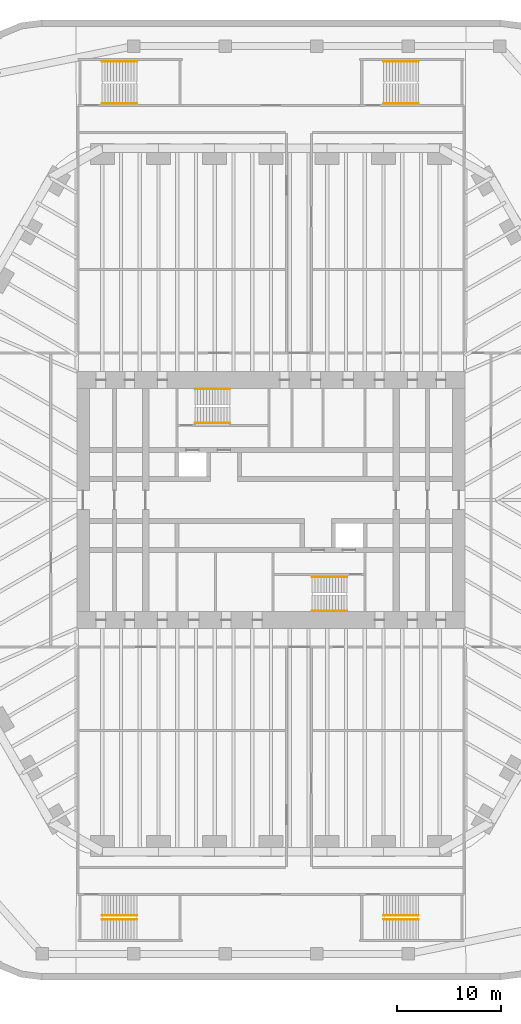
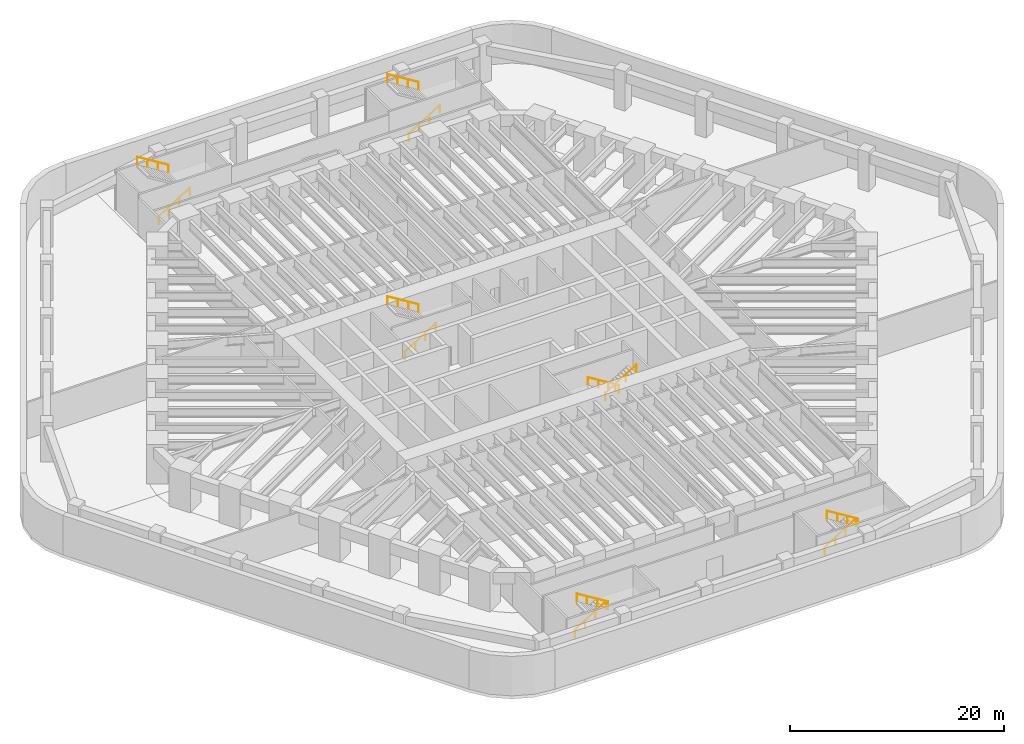
# One storey, part 12 of 12: 12 railings.
"""IFC4 building model written with IfcOpenShell, lengths in metres."""

from ifc_helpers import new_model, si_unit, direction, frame, origin, origin_2d, place, context, subcontext, project, spatial, circle, extrude, material, type_object, element, save


model = new_model("IFC4")

# Units and contexts
model_context = context("Model", 3, precision=1e-05, world=origin(), true_north=direction((0.0, 1.0)))
body_context = subcontext(model_context, "Body", "Model", "MODEL_VIEW")
ifc_project = project(units=[si_unit("LENGTHUNIT", "METRE"), si_unit("AREAUNIT", "SQUARE_METRE"), si_unit("VOLUMEUNIT", "CUBIC_METRE"), si_unit("PLANEANGLEUNIT", "RADIAN"), si_unit("MASSUNIT", "GRAM", prefix="KILO")], contexts=[model_context])

# Site, building, storey
site_placement = place(None, origin())
site = spatial("IfcSite", under=ifc_project, at=site_placement, CompositionType="ELEMENT")
building_placement = place(site_placement, origin())
building = spatial("IfcBuilding", under=site, at=building_placement, Name="Tarfa Lantern Tower", CompositionType="ELEMENT")
storey_placement = place(building_placement, frame((0.0, 0.0, -4.5)))
storey = spatial("IfcBuildingStorey", under=building, at=storey_placement, Name="B1", CompositionType="ELEMENT", Elevation=-4.5)

# Railings
ifc_material = material(Name="Stainless steel", Category="steel")
railing_type = type_object("IfcRailingType", Name="HR1 HANDRAIL 900", PredefinedType="HANDRAIL", material=ifc_material)
railing_1_placement = place(storey_placement, frame((-7.300048828125, 7.3798828125, 0.173095703125)))
element("IfcRailing", 1, at=railing_1_placement, inside=storey, type_object=railing_type, Name="Handrail 1", PredefinedType="HANDRAIL", context=body_context, shape_type="SweptSolid", body=[
    extrude(circle(Radius=0.02392578125, at=origin_2d()), frame((0.0, 0.0, 0.8759765625), z_axis=(0.850623216509, 0.0, 0.525775754039), x_axis=(0.0, 1.0, 0.0)), (0.0, 0.0, 1.0), 3.9501953125),
    extrude(circle(Radius=0.02099609375, at=origin_2d()), frame((0.0, 0.0, 0.0), z_axis=(0.0, 0.0, 1.0), x_axis=(0.0, 1.0, 0.0)), (0.0, 0.0, 1.0), 0.851806640625),
    extrude(circle(Radius=0.02099609375, at=origin_2d()), frame((1.1201171875, 0.0, 0.6923828125), z_axis=(0.0, 0.0, 1.0), x_axis=(0.0, 1.0, 0.0)), (0.0, 0.0, 1.0), 0.851806640625),
    extrude(circle(Radius=0.02099609375, at=origin_2d()), frame((2.239990234375, 0.0, 1.384521484375), z_axis=(0.0, 0.0, 1.0), x_axis=(0.0, 1.0, 0.0)), (0.0, 0.0, 1.0), 0.851806640625),
    extrude(circle(Radius=0.02099609375, at=origin_2d()), frame((3.360107421875, 0.0, 2.076904296875), z_axis=(0.0, 0.0, 1.0), x_axis=(0.0, 1.0, 0.0)), (0.0, 0.0, 1.0), 0.851806640625),
])
for number, where, name in (
    (2, (-3.93994140625, 10.6201171875, 2.423095703125), "Handrail 2"),
    (3, (7.300048828125, -7.3798828125, 0.173095703125), "Handrail 1"),
):
    element("IfcRailing", number, at=place(storey_placement, frame(where)), inside=storey, type_object=railing_type, Name=name, PredefinedType="HANDRAIL", context=body_context, shape_type="SweptSolid", body=[
        extrude(circle(Radius=0.02392578125, at=origin_2d()), frame((0.0, 0.0, 0.8759765625), z_axis=(-0.850623216509, 0.0, 0.525775754039), x_axis=(0.0, -1.0, 0.0)), (0.0, 0.0, 1.0), 3.9501953125),
        extrude(circle(Radius=0.02099609375, at=origin_2d()), frame((0.0, 0.0, 0.0), z_axis=(0.0, 0.0, 1.0), x_axis=(0.0, -1.0, 0.0)), (0.0, 0.0, 1.0), 0.851806640625),
        extrude(circle(Radius=0.02099609375, at=origin_2d()), frame((-1.1201171875, 0.0, 0.6923828125), z_axis=(0.0, 0.0, 1.0), x_axis=(0.0, -1.0, 0.0)), (0.0, 0.0, 1.0), 0.851806640625),
        extrude(circle(Radius=0.02099609375, at=origin_2d()), frame((-2.239990234375, 0.0, 1.384521484375), z_axis=(0.0, 0.0, 1.0), x_axis=(0.0, -1.0, 0.0)), (0.0, 0.0, 1.0), 0.851806640625),
        extrude(circle(Radius=0.02099609375, at=origin_2d()), frame((-3.360107421875, 0.0, 2.076904296875), z_axis=(0.0, 0.0, 1.0), x_axis=(0.0, -1.0, 0.0)), (0.0, 0.0, 1.0), 0.851806640625),
    ])
railing_2_placement = place(storey_placement, frame((3.93994140625, -10.6201171875, 2.423095703125)))
element("IfcRailing", 4, at=railing_2_placement, inside=storey, type_object=railing_type, Name="Handrail 2", PredefinedType="HANDRAIL", context=body_context, shape_type="SweptSolid", body=[
    extrude(circle(Radius=0.02392578125, at=origin_2d()), frame((0.0, 0.0, 0.8759765625), z_axis=(0.850623216509, 0.0, 0.525775754039), x_axis=(0.0, 1.0, 0.0)), (0.0, 0.0, 1.0), 3.9501953125),
    extrude(circle(Radius=0.02099609375, at=origin_2d()), frame((0.0, 0.0, 0.0), z_axis=(0.0, 0.0, 1.0), x_axis=(0.0, 1.0, 0.0)), (0.0, 0.0, 1.0), 0.851806640625),
    extrude(circle(Radius=0.02099609375, at=origin_2d()), frame((1.1201171875, 0.0, 0.6923828125), z_axis=(0.0, 0.0, 1.0), x_axis=(0.0, 1.0, 0.0)), (0.0, 0.0, 1.0), 0.851806640625),
    extrude(circle(Radius=0.02099609375, at=origin_2d()), frame((2.239990234375, 0.0, 1.384521484375), z_axis=(0.0, 0.0, 1.0), x_axis=(0.0, 1.0, 0.0)), (0.0, 0.0, 1.0), 0.851806640625),
    extrude(circle(Radius=0.02099609375, at=origin_2d()), frame((3.360107421875, 0.0, 2.076904296875), z_axis=(0.0, 0.0, 1.0), x_axis=(0.0, 1.0, 0.0)), (0.0, 0.0, 1.0), 0.851806640625),
])
railing_3_placement = place(storey_placement, frame((10.800048828125, 37.97998046875, 0.173095703125)))
element("IfcRailing", 5, at=railing_3_placement, inside=storey, type_object=railing_type, Name="Handrail 1", PredefinedType="HANDRAIL", context=body_context, shape_type="SweptSolid", body=[
    extrude(circle(Radius=0.02392578125, at=origin_2d()), frame((0.0, 0.0, 0.8759765625), z_axis=(0.850606129759, 0.0, 0.525803396734), x_axis=(0.0, 1.0, 0.0)), (0.0, 0.0, 1.0), 3.949951171875),
    extrude(circle(Radius=0.02099609375, at=origin_2d()), frame((0.0, 0.0, 0.0), z_axis=(0.0, 0.0, 1.0), x_axis=(0.0, 1.0, 0.0)), (0.0, 0.0, 1.0), 0.851806640625),
    extrude(circle(Radius=0.02099609375, at=origin_2d()), frame((1.119873046875, 0.0, 0.6923828125), z_axis=(0.0, 0.0, 1.0), x_axis=(0.0, 1.0, 0.0)), (0.0, 0.0, 1.0), 0.851806640625),
    extrude(circle(Radius=0.02099609375, at=origin_2d()), frame((2.239990234375, 0.0, 1.384521484375), z_axis=(0.0, 0.0, 1.0), x_axis=(0.0, 1.0, 0.0)), (0.0, 0.0, 1.0), 0.851806640625),
    extrude(circle(Radius=0.02099609375, at=origin_2d()), frame((3.35986328125, 0.0, 2.076904296875), z_axis=(0.0, 0.0, 1.0), x_axis=(0.0, 1.0, 0.0)), (0.0, 0.0, 1.0), 0.851806640625),
])
railing_4_placement = place(storey_placement, frame((14.159912109375, 42.02001953125, 2.423095703125)))
element("IfcRailing", 6, at=railing_4_placement, inside=storey, type_object=railing_type, Name="Handrail 2", PredefinedType="HANDRAIL", context=body_context, shape_type="SweptSolid", body=[
    extrude(circle(Radius=0.02392578125, at=origin_2d()), frame((0.0, 0.0, 0.8759765625), z_axis=(-0.850606129759, 0.0, 0.525803396734), x_axis=(0.0, -1.0, 0.0)), (0.0, 0.0, 1.0), 3.949951171875),
    extrude(circle(Radius=0.02099609375, at=origin_2d()), frame((0.0, 0.0, 0.0), z_axis=(0.0, 0.0, 1.0), x_axis=(0.0, -1.0, 0.0)), (0.0, 0.0, 1.0), 0.851806640625),
    extrude(circle(Radius=0.02099609375, at=origin_2d()), frame((-1.119873046875, 0.0, 0.6923828125), z_axis=(0.0, 0.0, 1.0), x_axis=(0.0, -1.0, 0.0)), (0.0, 0.0, 1.0), 0.851806640625),
    extrude(circle(Radius=0.02099609375, at=origin_2d()), frame((-2.239990234375, 0.0, 1.384521484375), z_axis=(0.0, 0.0, 1.0), x_axis=(0.0, -1.0, 0.0)), (0.0, 0.0, 1.0), 0.851806640625),
    extrude(circle(Radius=0.02099609375, at=origin_2d()), frame((-3.35986328125, 0.0, 2.076904296875), z_axis=(0.0, 0.0, 1.0), x_axis=(0.0, -1.0, 0.0)), (0.0, 0.0, 1.0), 0.851806640625),
])
railing_5_placement = place(storey_placement, frame((-16.199951171875, 37.97998046875, 0.173095703125)))
element("IfcRailing", 7, at=railing_5_placement, inside=storey, type_object=railing_type, Name="Handrail 1", PredefinedType="HANDRAIL", context=body_context, shape_type="SweptSolid", body=[
    extrude(circle(Radius=0.02392578125, at=origin_2d()), frame((0.0, 0.0, 0.8759765625), z_axis=(0.850606129759, 0.0, 0.525803396734), x_axis=(0.0, 1.0, 0.0)), (0.0, 0.0, 1.0), 3.949951171875),
    extrude(circle(Radius=0.02099609375, at=origin_2d()), frame((0.0, 0.0, 0.0), z_axis=(0.0, 0.0, 1.0), x_axis=(0.0, 1.0, 0.0)), (0.0, 0.0, 1.0), 0.851806640625),
    extrude(circle(Radius=0.02099609375, at=origin_2d()), frame((1.119873046875, 0.0, 0.6923828125), z_axis=(0.0, 0.0, 1.0), x_axis=(0.0, 1.0, 0.0)), (0.0, 0.0, 1.0), 0.851806640625),
    extrude(circle(Radius=0.02099609375, at=origin_2d()), frame((2.239990234375, 0.0, 1.384521484375), z_axis=(0.0, 0.0, 1.0), x_axis=(0.0, 1.0, 0.0)), (0.0, 0.0, 1.0), 0.851806640625),
    extrude(circle(Radius=0.02099609375, at=origin_2d()), frame((3.35986328125, 0.0, 2.076904296875), z_axis=(0.0, 0.0, 1.0), x_axis=(0.0, 1.0, 0.0)), (0.0, 0.0, 1.0), 0.851806640625),
])
railing_6_placement = place(storey_placement, frame((-12.840087890625, 42.02001953125, 2.423095703125)))
element("IfcRailing", 8, at=railing_6_placement, inside=storey, type_object=railing_type, Name="Handrail 2", PredefinedType="HANDRAIL", context=body_context, shape_type="SweptSolid", body=[
    extrude(circle(Radius=0.02392578125, at=origin_2d()), frame((0.0, 0.0, 0.8759765625), z_axis=(-0.850606129759, 0.0, 0.525803396734), x_axis=(0.0, -1.0, 0.0)), (0.0, 0.0, 1.0), 3.949951171875),
    extrude(circle(Radius=0.02099609375, at=origin_2d()), frame((0.0, 0.0, 0.0), z_axis=(0.0, 0.0, 1.0), x_axis=(0.0, -1.0, 0.0)), (0.0, 0.0, 1.0), 0.851806640625),
    extrude(circle(Radius=0.02099609375, at=origin_2d()), frame((-1.119873046875, 0.0, 0.6923828125), z_axis=(0.0, 0.0, 1.0), x_axis=(0.0, -1.0, 0.0)), (0.0, 0.0, 1.0), 0.851806640625),
    extrude(circle(Radius=0.02099609375, at=origin_2d()), frame((-2.239990234375, 0.0, 1.384521484375), z_axis=(0.0, 0.0, 1.0), x_axis=(0.0, -1.0, 0.0)), (0.0, 0.0, 1.0), 0.851806640625),
    extrude(circle(Radius=0.02099609375, at=origin_2d()), frame((-3.35986328125, 0.0, 2.076904296875), z_axis=(0.0, 0.0, 1.0), x_axis=(0.0, -1.0, 0.0)), (0.0, 0.0, 1.0), 0.851806640625),
])
railing_7_placement = place(storey_placement, frame((-16.199951171875, -39.820068359375, 0.173095703125)))
element("IfcRailing", 9, at=railing_7_placement, inside=storey, type_object=railing_type, Name="Handrail 1", PredefinedType="HANDRAIL", context=body_context, shape_type="SweptSolid", body=[
    extrude(circle(Radius=0.02392578125, at=origin_2d()), frame((0.0, 0.0, 0.8759765625), z_axis=(0.850606129759, 0.0, 0.525803396734), x_axis=(0.0, 1.0, 0.0)), (0.0, 0.0, 1.0), 3.949951171875),
    extrude(circle(Radius=0.02099609375, at=origin_2d()), frame((0.0, 0.0, 0.0), z_axis=(0.0, 0.0, 1.0), x_axis=(0.0, 1.0, 0.0)), (0.0, 0.0, 1.0), 0.851806640625),
    extrude(circle(Radius=0.02099609375, at=origin_2d()), frame((1.119873046875, 0.0, 0.6923828125), z_axis=(0.0, 0.0, 1.0), x_axis=(0.0, 1.0, 0.0)), (0.0, 0.0, 1.0), 0.851806640625),
    extrude(circle(Radius=0.02099609375, at=origin_2d()), frame((2.239990234375, 0.0, 1.384521484375), z_axis=(0.0, 0.0, 1.0), x_axis=(0.0, 1.0, 0.0)), (0.0, 0.0, 1.0), 0.851806640625),
    extrude(circle(Radius=0.02099609375, at=origin_2d()), frame((3.35986328125, 0.0, 2.076904296875), z_axis=(0.0, 0.0, 1.0), x_axis=(0.0, 1.0, 0.0)), (0.0, 0.0, 1.0), 0.851806640625),
])
railing_8_placement = place(storey_placement, frame((-12.840087890625, -40.179931640625, 2.423095703125)))
element("IfcRailing", 10, at=railing_8_placement, inside=storey, type_object=railing_type, Name="Handrail 2", PredefinedType="HANDRAIL", context=body_context, shape_type="SweptSolid", body=[
    extrude(circle(Radius=0.02392578125, at=origin_2d()), frame((0.0, 0.0, 0.8759765625), z_axis=(-0.850606129759, 0.0, 0.525803396734), x_axis=(0.0, -1.0, 0.0)), (0.0, 0.0, 1.0), 3.949951171875),
    extrude(circle(Radius=0.02099609375, at=origin_2d()), frame((0.0, 0.0, 0.0), z_axis=(0.0, 0.0, 1.0), x_axis=(0.0, -1.0, 0.0)), (0.0, 0.0, 1.0), 0.851806640625),
    extrude(circle(Radius=0.02099609375, at=origin_2d()), frame((-1.119873046875, 0.0, 0.6923828125), z_axis=(0.0, 0.0, 1.0), x_axis=(0.0, -1.0, 0.0)), (0.0, 0.0, 1.0), 0.851806640625),
    extrude(circle(Radius=0.02099609375, at=origin_2d()), frame((-2.239990234375, 0.0, 1.384521484375), z_axis=(0.0, 0.0, 1.0), x_axis=(0.0, -1.0, 0.0)), (0.0, 0.0, 1.0), 0.851806640625),
    extrude(circle(Radius=0.02099609375, at=origin_2d()), frame((-3.35986328125, 0.0, 2.076904296875), z_axis=(0.0, 0.0, 1.0), x_axis=(0.0, -1.0, 0.0)), (0.0, 0.0, 1.0), 0.851806640625),
])
railing_9_placement = place(storey_placement, frame((10.800048828125, -39.820068359375, 0.173095703125)))
element("IfcRailing", 11, at=railing_9_placement, inside=storey, type_object=railing_type, Name="Handrail 1", PredefinedType="HANDRAIL", context=body_context, shape_type="SweptSolid", body=[
    extrude(circle(Radius=0.02392578125, at=origin_2d()), frame((0.0, 0.0, 0.8759765625), z_axis=(0.850606129759, 0.0, 0.525803396734), x_axis=(0.0, 1.0, 0.0)), (0.0, 0.0, 1.0), 3.949951171875),
    extrude(circle(Radius=0.02099609375, at=origin_2d()), frame((0.0, 0.0, 0.0), z_axis=(0.0, 0.0, 1.0), x_axis=(0.0, 1.0, 0.0)), (0.0, 0.0, 1.0), 0.851806640625),
    extrude(circle(Radius=0.02099609375, at=origin_2d()), frame((1.119873046875, 0.0, 0.6923828125), z_axis=(0.0, 0.0, 1.0), x_axis=(0.0, 1.0, 0.0)), (0.0, 0.0, 1.0), 0.851806640625),
    extrude(circle(Radius=0.02099609375, at=origin_2d()), frame((2.239990234375, 0.0, 1.384521484375), z_axis=(0.0, 0.0, 1.0), x_axis=(0.0, 1.0, 0.0)), (0.0, 0.0, 1.0), 0.851806640625),
    extrude(circle(Radius=0.02099609375, at=origin_2d()), frame((3.35986328125, 0.0, 2.076904296875), z_axis=(0.0, 0.0, 1.0), x_axis=(0.0, 1.0, 0.0)), (0.0, 0.0, 1.0), 0.851806640625),
])
railing_10_placement = place(storey_placement, frame((14.159912109375, -40.179931640625, 2.423095703125)))
element("IfcRailing", 12, at=railing_10_placement, inside=storey, type_object=railing_type, Name="Handrail 2", PredefinedType="HANDRAIL", context=body_context, shape_type="SweptSolid", body=[
    extrude(circle(Radius=0.02392578125, at=origin_2d()), frame((0.0, 0.0, 0.8759765625), z_axis=(-0.850606129759, 0.0, 0.525803396734), x_axis=(0.0, -1.0, 0.0)), (0.0, 0.0, 1.0), 3.949951171875),
    extrude(circle(Radius=0.02099609375, at=origin_2d()), frame((0.0, 0.0, 0.0), z_axis=(0.0, 0.0, 1.0), x_axis=(0.0, -1.0, 0.0)), (0.0, 0.0, 1.0), 0.851806640625),
    extrude(circle(Radius=0.02099609375, at=origin_2d()), frame((-1.119873046875, 0.0, 0.6923828125), z_axis=(0.0, 0.0, 1.0), x_axis=(0.0, -1.0, 0.0)), (0.0, 0.0, 1.0), 0.851806640625),
    extrude(circle(Radius=0.02099609375, at=origin_2d()), frame((-2.239990234375, 0.0, 1.384521484375), z_axis=(0.0, 0.0, 1.0), x_axis=(0.0, -1.0, 0.0)), (0.0, 0.0, 1.0), 0.851806640625),
    extrude(circle(Radius=0.02099609375, at=origin_2d()), frame((-3.35986328125, 0.0, 2.076904296875), z_axis=(0.0, 0.0, 1.0), x_axis=(0.0, -1.0, 0.0)), (0.0, 0.0, 1.0), 0.851806640625),
])

save(model, "model.ifc")
